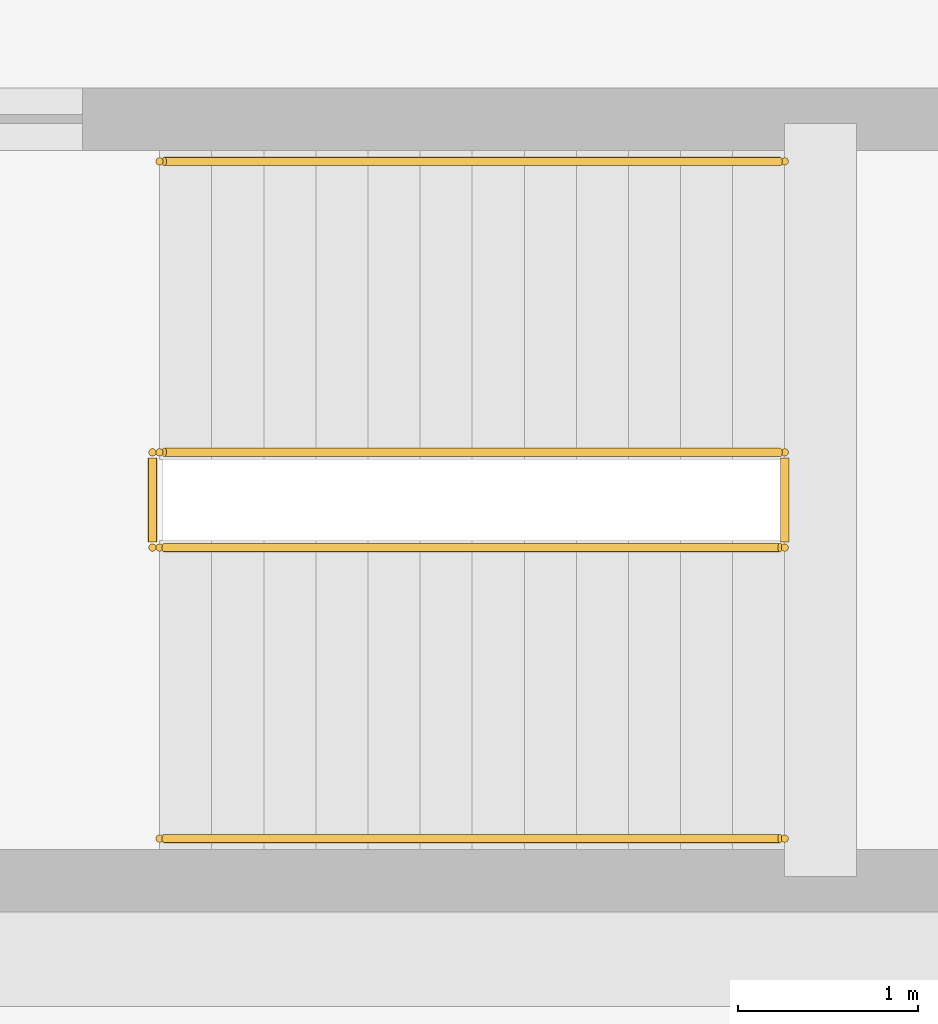
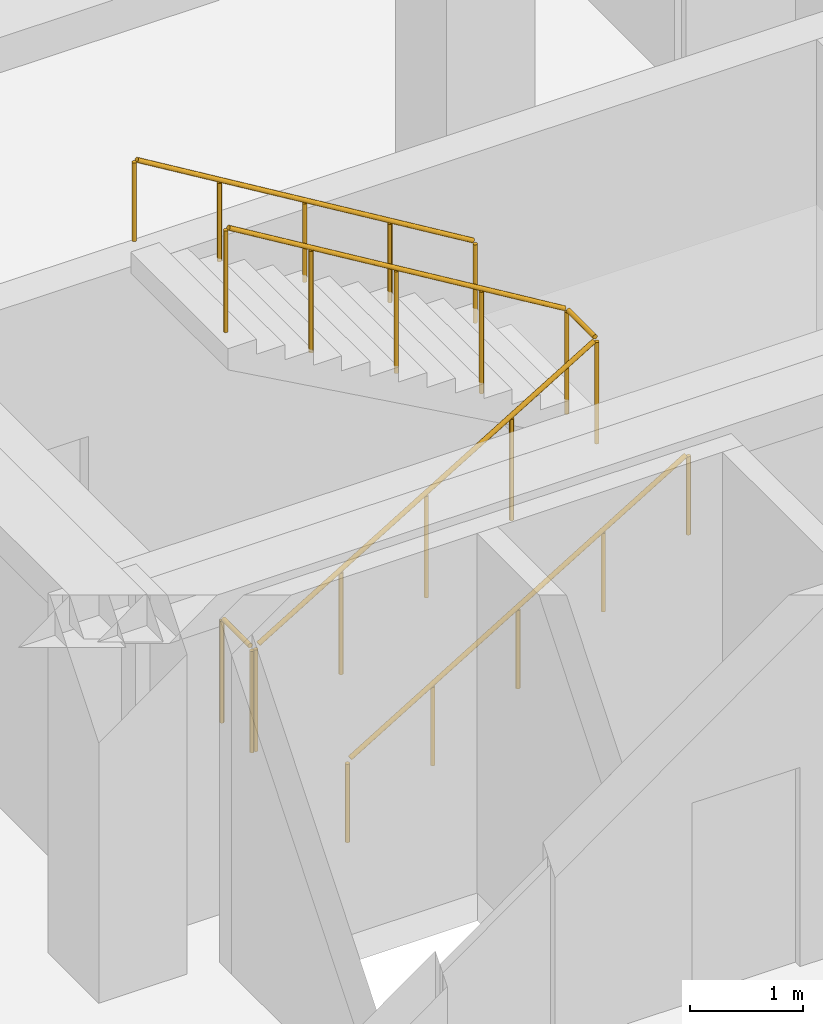
# One storey, part 29 of 32: 4 railings.
"""IFC4 building model written with IfcOpenShell, lengths in metres."""

from ifc_helpers import new_model, si_unit, direction, frame, origin, origin_2d, place, context, subcontext, project, spatial, circle, extrude, material, type_object, element, save


model = new_model("IFC4")

# Units and contexts
model_context = context("Model", 3, precision=1e-05, world=origin(), true_north=direction((0.0, 1.0)))
body_context = subcontext(model_context, "Body", "Model", "MODEL_VIEW")
ifc_project = project(units=[si_unit("LENGTHUNIT", "METRE"), si_unit("AREAUNIT", "SQUARE_METRE"), si_unit("VOLUMEUNIT", "CUBIC_METRE"), si_unit("PLANEANGLEUNIT", "RADIAN"), si_unit("MASSUNIT", "GRAM", prefix="KILO")], contexts=[model_context])

# Site, building, storey
site_placement = place(None, origin())
site = spatial("IfcSite", under=ifc_project, at=site_placement, CompositionType="ELEMENT")
building_placement = place(site_placement, origin())
building = spatial("IfcBuilding", under=site, at=building_placement, Name="Almacenes y Pasaje Nevantli", CompositionType="ELEMENT")
storey_placement = place(building_placement, frame((0.0, 0.0, -4.199951171875)))
storey = spatial("IfcBuildingStorey", under=building, at=storey_placement, Name="B01", CompositionType="ELEMENT", Elevation=-4.199951171875)

# Railings
ifc_material_1 = material(Name="Brushed Stainless Steel and Tempered Safety Glass", Category="steel")
railing_type_1 = type_object("IfcRailingType", Name="RL-GUARD-1100", PredefinedType="BALUSTRADE", material=ifc_material_1)
railing_1_placement = place(storey_placement, frame((120.300048828125, 77.830078125, 0.0)))
element("IfcRailing", 1, at=railing_1_placement, inside=storey, type_object=railing_type_1, Name="B01 Stair ST-01 Inner Well Guard Balustrade", PredefinedType="BALUSTRADE", context=body_context, shape_type="SweptSolid", body=[
    extrude(circle(Radius=0.02392578125, at=origin_2d()), frame((0.025634765625, 0.0, 1.141357421875), z_axis=(0.856202320911, 0.0, 0.516640673647), x_axis=(0.0, 1.0, 0.0)), (0.0, 0.0, 1.0), 4.00439453125),
    extrude(circle(Radius=0.02392578125, at=origin_2d()), frame((3.47998046875, 0.030029296875, 3.2255859375), z_axis=(0.0, 1.0, 0.0), x_axis=(-1.0, 0.0, 0.0)), (0.0, 0.0, 1.0), 0.469970703125),
    extrude(circle(Radius=0.02392578125, at=origin_2d()), frame((3.454345703125, 0.530029296875, 3.2412109375), z_axis=(-0.856175749803, 0.0, 0.516684706034), x_axis=(0.0, -1.0, 0.0)), (0.0, 0.0, 1.0), 4.004638671875),
    extrude(circle(Radius=0.02099609375, at=origin_2d()), origin(), (0.0, 0.0, 1.0), 1.096923828125),
    extrude(circle(Radius=0.02099609375, at=origin_2d()), frame((0.8701171875, 0.0, 0.52490234375)), (0.0, 0.0, 1.0), 1.096923828125),
    extrude(circle(Radius=0.02099609375, at=origin_2d()), frame((1.739990234375, 0.0, 1.0498046875)), (0.0, 0.0, 1.0), 1.096923828125),
    extrude(circle(Radius=0.02099609375, at=origin_2d()), frame((2.60986328125, 0.0, 1.574951171875)), (0.0, 0.0, 1.0), 1.096923828125),
    extrude(circle(Radius=0.02099609375, at=origin_2d()), frame((3.47998046875, 0.0, 2.099853515625)), (0.0, 0.0, 1.0), 1.096923828125),
    extrude(circle(Radius=0.02099609375, at=origin_2d()), frame((3.47998046875, 0.530029296875, 2.099853515625)), (0.0, 0.0, 1.0), 1.096923828125),
    extrude(circle(Radius=0.02099609375, at=origin_2d()), frame((2.60986328125, 0.530029296875, 2.625)), (0.0, 0.0, 1.0), 1.096923828125),
    extrude(circle(Radius=0.02099609375, at=origin_2d()), frame((1.739990234375, 0.530029296875, 3.14990234375)), (0.0, 0.0, 1.0), 1.096923828125),
    extrude(circle(Radius=0.02099609375, at=origin_2d()), frame((0.8701171875, 0.530029296875, 3.6748046875)), (0.0, 0.0, 1.0), 1.096923828125),
    extrude(circle(Radius=0.02099609375, at=origin_2d()), frame((0.0, 0.530029296875, 4.199951171875)), (0.0, 0.0, 1.0), 1.096923828125),
])
railing_2_placement = place(storey_placement, frame((120.260009765625, 77.830078125, 0.0)))
element("IfcRailing", 2, at=railing_2_placement, inside=storey, type_object=railing_type_1, Name="B01 Stair ST-01 Landing Well Slot Guard", PredefinedType="BALUSTRADE", context=body_context, shape_type="SweptSolid", body=[
    extrude(circle(Radius=0.02392578125, at=origin_2d()), frame((0.0, 0.030029296875, 1.1259765625), z_axis=(0.0, 1.0, 0.0), x_axis=(-1.0, 0.0, 0.0)), (0.0, 0.0, 1.0), 0.469970703125),
    extrude(circle(Radius=0.02099609375, at=origin_2d()), origin(), (0.0, 0.0, 1.0), 1.096923828125),
    extrude(circle(Radius=0.02099609375, at=origin_2d()), frame((0.0, 0.530029296875, 0.0)), (0.0, 0.0, 1.0), 1.096923828125),
])
ifc_material_2 = material(Name="Brushed Stainless Steel Tube", Category="steel")
railing_type_2 = type_object("IfcRailingType", Name="RL-HANDRAIL-900", PredefinedType="HANDRAIL", material=ifc_material_2)
railing_3_placement = place(storey_placement, frame((120.300048828125, 76.2099609375, 0.0)))
element("IfcRailing", 3, at=railing_3_placement, inside=storey, type_object=railing_type_2, Name="B01 Stair ST-01 Lower Flight Handrail", PredefinedType="HANDRAIL", context=body_context, shape_type="SweptSolid", body=[
    extrude(circle(Radius=0.02392578125, at=origin_2d()), frame((0.025634765625, 0.0, 0.891357421875), z_axis=(0.856202320911, 0.0, 0.516640673647), x_axis=(0.0, 1.0, 0.0)), (0.0, 0.0, 1.0), 4.00439453125),
    extrude(circle(Radius=0.02099609375, at=origin_2d()), origin(), (0.0, 0.0, 1.0), 0.846923828125),
    extrude(circle(Radius=0.02099609375, at=origin_2d()), frame((0.8701171875, 0.0, 0.52490234375)), (0.0, 0.0, 1.0), 0.846923828125),
    extrude(circle(Radius=0.02099609375, at=origin_2d()), frame((1.739990234375, 0.0, 1.0498046875)), (0.0, 0.0, 1.0), 0.846923828125),
    extrude(circle(Radius=0.02099609375, at=origin_2d()), frame((2.60986328125, 0.0, 1.574951171875)), (0.0, 0.0, 1.0), 0.846923828125),
    extrude(circle(Radius=0.02099609375, at=origin_2d()), frame((3.47998046875, 0.0, 2.099853515625)), (0.0, 0.0, 1.0), 0.846923828125),
])
railing_4_placement = place(storey_placement, frame((123.780029296875, 79.97998046875, 2.099853515625)))
element("IfcRailing", 4, at=railing_4_placement, inside=storey, type_object=railing_type_2, Name="B01 Stair ST-01 Upper Flight Handrail", PredefinedType="HANDRAIL", context=body_context, shape_type="SweptSolid", body=[
    extrude(circle(Radius=0.02392578125, at=origin_2d()), frame((-0.025634765625, 0.0, 0.891357421875), z_axis=(-0.856175749803, 0.0, 0.516684706034), x_axis=(0.0, -1.0, 0.0)), (0.0, 0.0, 1.0), 4.004638671875),
    extrude(circle(Radius=0.02099609375, at=origin_2d()), origin(), (0.0, 0.0, 1.0), 0.846923828125),
    extrude(circle(Radius=0.02099609375, at=origin_2d()), frame((-0.8701171875, 0.0, 0.52490234375)), (0.0, 0.0, 1.0), 0.846923828125),
    extrude(circle(Radius=0.02099609375, at=origin_2d()), frame((-1.739990234375, 0.0, 1.050048828125)), (0.0, 0.0, 1.0), 0.846923828125),
    extrude(circle(Radius=0.02099609375, at=origin_2d()), frame((-2.60986328125, 0.0, 1.5751953125)), (0.0, 0.0, 1.0), 0.846923828125),
    extrude(circle(Radius=0.02099609375, at=origin_2d()), frame((-3.47998046875, 0.0, 2.10009765625)), (0.0, 0.0, 1.0), 0.846923828125),
])

save(model, "model.ifc")
